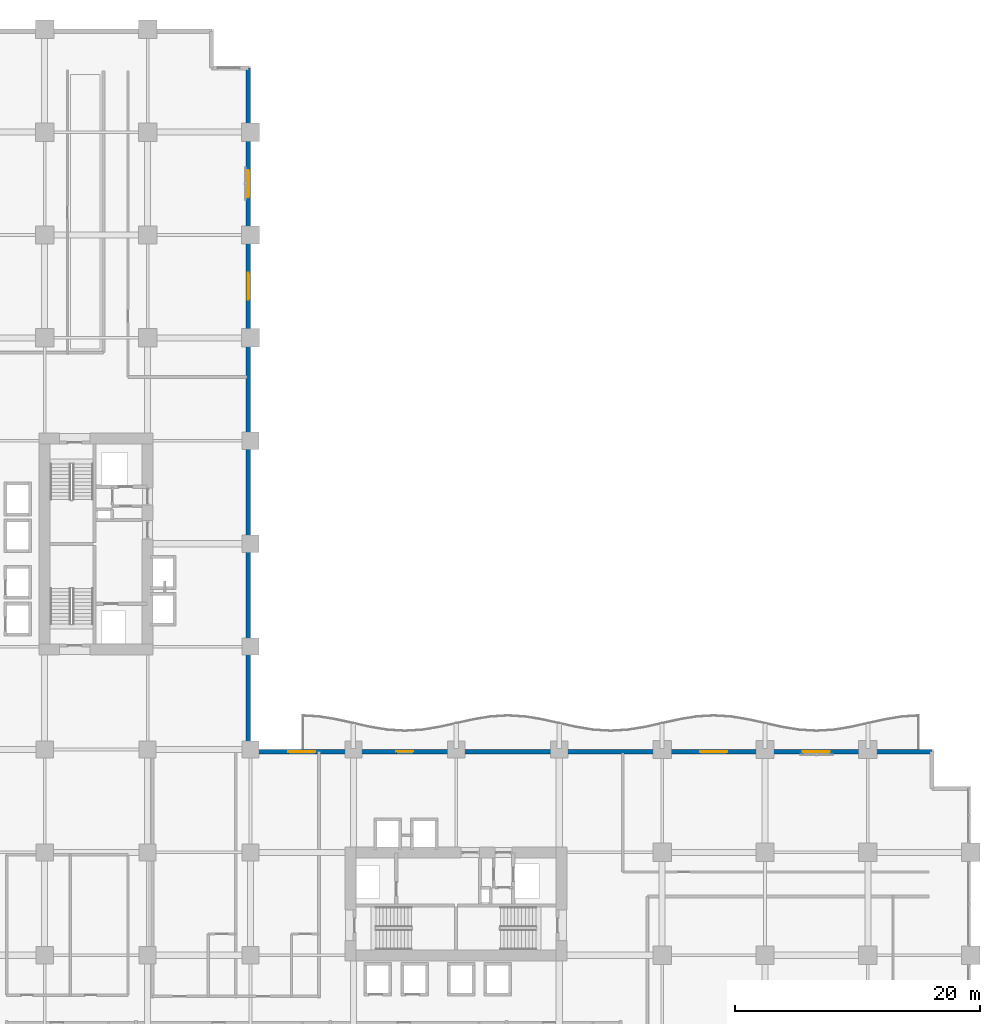
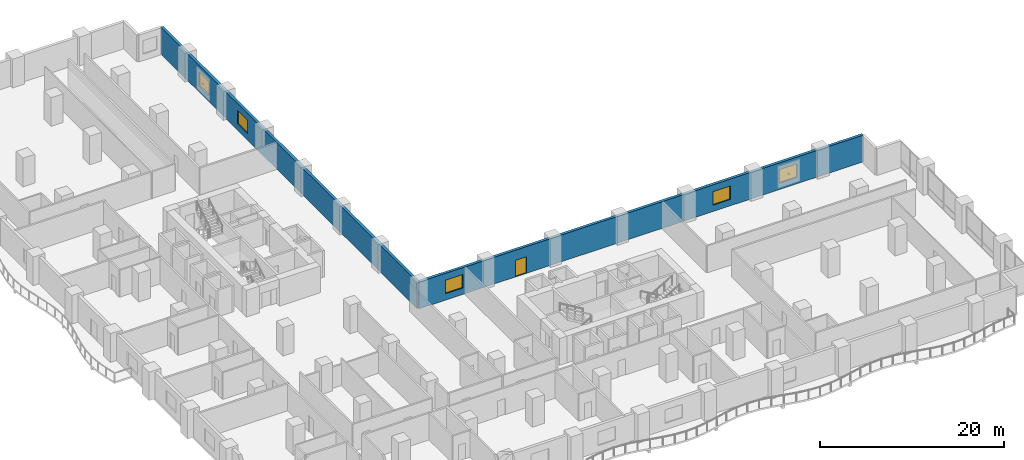
# One storey, part 17 of 27: 5 windows, 2 walls, 1 door, 6 openings.
"""IFC4 building model written with IfcOpenShell, lengths in metres."""

from ifc_helpers import new_model, si_unit, direction, frame, frame_2d, origin, place, context, subcontext, project, spatial, rectangle, extrude, material, layer, layer_set, type_object, element, fill, save


model = new_model("IFC4")

# Units and contexts
model_context = context("Model", 3, precision=1e-05, world=origin(), true_north=direction((0.0, 1.0)))
body_context = subcontext(model_context, "Body", "Model", "MODEL_VIEW")
ifc_project = project(units=[si_unit("LENGTHUNIT", "METRE"), si_unit("AREAUNIT", "SQUARE_METRE"), si_unit("VOLUMEUNIT", "CUBIC_METRE"), si_unit("PLANEANGLEUNIT", "RADIAN"), si_unit("MASSUNIT", "GRAM", prefix="KILO")], contexts=[model_context])

# Site, building, storey
site_placement = place(None, origin())
site = spatial("IfcSite", under=ifc_project, at=site_placement, CompositionType="ELEMENT")
building_placement = place(site_placement, origin())
building = spatial("IfcBuilding", under=site, at=building_placement, Name="Koriwani Terraces Tower", CompositionType="ELEMENT")
storey_placement = place(building_placement, frame((0.0, 0.0, 70.0)))
storey = spatial("IfcBuildingStorey", under=building, at=storey_placement, Name="L16", CompositionType="ELEMENT", Elevation=70.0)

# Wall, openings, windows
ifc_material_1 = material(Name="Concrete C50/60", Category="concrete")
ifc_layer = layer(ifc_material_1, 0.35009765625, Name="Concrete C50/60")
ifc_layer_set = layer_set([ifc_layer], Name="Concrete C50/60")
wall_type = type_object("IfcWallType", Name="WALL_EXT_BRUTALIST_350", PredefinedType="STANDARD", material=ifc_layer_set)
wall_1_placement = place(storey_placement, frame((33.425048828125, 89.22509765625, 0.0), z_axis=(0.0, 0.0, 1.0), x_axis=(0.0, -1.0, 0.0)))
wall_1 = element("IfcWall", 1, at=wall_1_placement, inside=storey, type_object=wall_type, Name="L16 Fair-Faced Brutalist Exterior Wall (NW_IN)", PredefinedType="STANDARD", context=body_context, shape_type="SweptSolid", body=[
    extrude(rectangle(XDim=55.800048828125, YDim=0.35009765625, at=frame_2d((27.89990234375, 0.0))), origin(), (0.0, 0.0, 1.0), 3.550048828125),
])
opening_1_placement = place(wall_1_placement, frame((16.72509765625, 0.0, 0.85009765625)))
opening_1 = element("IfcOpeningElement", 2, at=opening_1_placement, cuts=wall_1, Name="Opening W-01", PredefinedType="OPENING", context=body_context, shape_type="SweptSolid", body=[
    extrude(rectangle(XDim=2.199951171875, YDim=1.800048828125, at=frame_2d((1.10009765625, 0.89990234375))), frame((0.0, 0.18505859375, 0.0), z_axis=(0.0, -1.0, 0.0), x_axis=(1.0, 0.0, 0.0)), (0.0, 0.0, 1.0), 0.3701171875),
])
opening_2_placement = place(wall_1_placement, frame((8.324951171875, 0.0, 0.85009765625)))
opening_2 = element("IfcOpeningElement", 3, at=opening_2_placement, cuts=wall_1, Name="Opening W-01", PredefinedType="OPENING", context=body_context, shape_type="SweptSolid", body=[
    extrude(rectangle(XDim=2.199951171875, YDim=1.800048828125, at=frame_2d((1.10009765625, 0.89990234375))), frame((0.0, 0.18505859375, 0.0), z_axis=(0.0, -1.0, 0.0), x_axis=(1.0, 0.0, 0.0)), (0.0, 0.0, 1.0), 0.3701171875),
])
ifc_material_2 = material(Name="Tempered Laminated Low-E Glass", Category="glass")
window_type = type_object("IfcWindowType", Name="WIN_HOTEL_STD_2200X1800", PartitioningType="DOUBLE_PANEL_VERTICAL", PredefinedType="WINDOW", material=ifc_material_2)
window_1_placement = place(opening_1_placement, origin())
window_1 = element("IfcWindow", 4, at=window_1_placement, inside=storey, type_object=window_type, Name="L16 Exterior Window (NW_IN-14)", OverallHeight=1.800048828125, OverallWidth=2.199951171875, PartitioningType="SINGLE_PANEL", PredefinedType="WINDOW", context=body_context, shape_type="SweptSolid", body=[
    extrude(rectangle(XDim=2.199951171875, YDim=1.800048828125, at=frame_2d((1.10009765625, 0.89990234375))), frame((0.0, 0.030029296875, 0.0), z_axis=(0.0, -1.0, 0.0), x_axis=(1.0, 0.0, 0.0)), (0.0, 0.0, 1.0), 0.06005859375),
])
fill(opening_1, window_1)
window_2_placement = place(opening_2_placement, origin())
window_2 = element("IfcWindow", 5, at=window_2_placement, inside=storey, type_object=window_type, Name="L16 Exterior Window (NW_IN-17)", OverallHeight=1.800048828125, OverallWidth=2.199951171875, PartitioningType="SINGLE_PANEL", PredefinedType="WINDOW", context=body_context, shape_type="SweptSolid", body=[
    extrude(rectangle(XDim=2.199951171875, YDim=1.800048828125, at=frame_2d((1.10009765625, 0.89990234375))), frame((0.0, 0.030029296875, 0.0), z_axis=(0.0, -1.0, 0.0), x_axis=(1.0, 0.0, 0.0)), (0.0, 0.0, 1.0), 0.06005859375),
])
fill(opening_2, window_2)

# Wall, openings, door, windows
wall_2_placement = place(storey_placement, frame((33.425048828125, 33.425048828125, 0.0), z_axis=(0.0, 0.0, 1.0), x_axis=(1.0, 0.0, 0.0)))
wall_2 = element("IfcWall", 6, at=wall_2_placement, inside=storey, type_object=wall_type, Name="L16 Fair-Faced Brutalist Exterior Wall (NE)", PredefinedType="STANDARD", context=body_context, shape_type="SweptSolid", body=[
    extrude(rectangle(XDim=55.800048828125, YDim=0.35009765625, at=frame_2d((27.89990234375, 0.0))), origin(), (0.0, 0.0, 1.0), 3.550048828125),
])
opening_3_placement = place(wall_2_placement, frame((12.074951171875, 0.0, 0.0)))
opening_3 = element("IfcOpeningElement", 7, at=opening_3_placement, cuts=wall_2, Name="Opening D-09", PredefinedType="OPENING", context=body_context, shape_type="SweptSolid", body=[
    extrude(rectangle(XDim=1.39990234375, YDim=2.199951171875, at=frame_2d((0.699951171875, 1.10009765625))), frame((0.0, 0.18505859375, 0.0), z_axis=(0.0, -1.0, 0.0), x_axis=(1.0, 0.0, 0.0)), (0.0, 0.0, 1.0), 0.3701171875),
])
opening_4_placement = place(wall_2_placement, frame((3.27490234375, 0.0, 0.85009765625)))
opening_4 = element("IfcOpeningElement", 8, at=opening_4_placement, cuts=wall_2, Name="Opening W-01", PredefinedType="OPENING", context=body_context, shape_type="SweptSolid", body=[
    extrude(rectangle(XDim=2.199951171875, YDim=1.800048828125, at=frame_2d((1.10009765625, 0.89990234375))), frame((0.0, 0.18505859375, 0.0), z_axis=(0.0, -1.0, 0.0), x_axis=(1.0, 0.0, 0.0)), (0.0, 0.0, 1.0), 0.3701171875),
])
opening_5_placement = place(wall_2_placement, frame((36.875, 0.0, 0.85009765625)))
opening_5 = element("IfcOpeningElement", 9, at=opening_5_placement, cuts=wall_2, Name="Opening W-01", PredefinedType="OPENING", context=body_context, shape_type="SweptSolid", body=[
    extrude(rectangle(XDim=2.199951171875, YDim=1.800048828125, at=frame_2d((1.10009765625, 0.89990234375))), frame((0.0, 0.18505859375, 0.0), z_axis=(0.0, -1.0, 0.0), x_axis=(1.0, 0.0, 0.0)), (0.0, 0.0, 1.0), 0.3701171875),
])
opening_6_placement = place(wall_2_placement, frame((45.27490234375, 0.0, 0.85009765625)))
opening_6 = element("IfcOpeningElement", 10, at=opening_6_placement, cuts=wall_2, Name="Opening W-01", PredefinedType="OPENING", context=body_context, shape_type="SweptSolid", body=[
    extrude(rectangle(XDim=2.199951171875, YDim=1.800048828125, at=frame_2d((1.10009765625, 0.89990234375))), frame((0.0, 0.18505859375, 0.0), z_axis=(0.0, -1.0, 0.0), x_axis=(1.0, 0.0, 0.0)), (0.0, 0.0, 1.0), 0.3701171875),
])
ifc_material_3 = material(Name="Anodised Bronze Aluminium", Category="aluminium")
door_type = type_object("IfcDoorType", Name="DOOR_BALCONY_GLAZED_1400X2200", OperationType="NOTDEFINED", PredefinedType="DOOR", material=ifc_material_3)
door_placement = place(opening_3_placement, origin())
door = element("IfcDoor", 11, at=door_placement, inside=storey, type_object=door_type, Name="L16 Inner Court Balcony Glazed Door", OperationType="SINGLE_SWING_LEFT", OverallHeight=2.199951171875, OverallWidth=1.39990234375, PredefinedType="DOOR", context=body_context, shape_type="SweptSolid", body=[
    extrude(rectangle(XDim=1.39990234375, YDim=2.199951171875, at=frame_2d((0.699951171875, 1.10009765625))), frame((0.0, 0.02490234375, 0.0), z_axis=(0.0, -1.0, 0.0), x_axis=(1.0, 0.0, 0.0)), (0.0, 0.0, 1.0), 0.050048828125),
])
fill(opening_3, door)
window_3_placement = place(opening_4_placement, origin())
window_3 = element("IfcWindow", 12, at=window_3_placement, inside=storey, type_object=window_type, Name="L16 Exterior Window (NE-2)", OverallHeight=1.800048828125, OverallWidth=2.199951171875, PartitioningType="SINGLE_PANEL", PredefinedType="WINDOW", context=body_context, shape_type="SweptSolid", body=[
    extrude(rectangle(XDim=2.199951171875, YDim=1.800048828125, at=frame_2d((1.10009765625, 0.89990234375))), frame((0.0, 0.030029296875, 0.0), z_axis=(0.0, -1.0, 0.0), x_axis=(1.0, 0.0, 0.0)), (0.0, 0.0, 1.0), 0.06005859375),
])
fill(opening_4, window_3)
window_4_placement = place(opening_5_placement, origin())
window_4 = element("IfcWindow", 13, at=window_4_placement, inside=storey, type_object=window_type, Name="L16 Exterior Window (NE-14)", OverallHeight=1.800048828125, OverallWidth=2.199951171875, PartitioningType="SINGLE_PANEL", PredefinedType="WINDOW", context=body_context, shape_type="SweptSolid", body=[
    extrude(rectangle(XDim=2.199951171875, YDim=1.800048828125, at=frame_2d((1.10009765625, 0.89990234375))), frame((0.0, 0.030029296875, 0.0), z_axis=(0.0, -1.0, 0.0), x_axis=(1.0, 0.0, 0.0)), (0.0, 0.0, 1.0), 0.06005859375),
])
fill(opening_5, window_4)
window_5_placement = place(opening_6_placement, origin())
window_5 = element("IfcWindow", 14, at=window_5_placement, inside=storey, type_object=window_type, Name="L16 Exterior Window (NE-17)", OverallHeight=1.800048828125, OverallWidth=2.199951171875, PartitioningType="SINGLE_PANEL", PredefinedType="WINDOW", context=body_context, shape_type="SweptSolid", body=[
    extrude(rectangle(XDim=2.199951171875, YDim=1.800048828125, at=frame_2d((1.10009765625, 0.89990234375))), frame((0.0, 0.030029296875, 0.0), z_axis=(0.0, -1.0, 0.0), x_axis=(1.0, 0.0, 0.0)), (0.0, 0.0, 1.0), 0.06005859375),
])
fill(opening_6, window_5)

save(model, "model.ifc")
